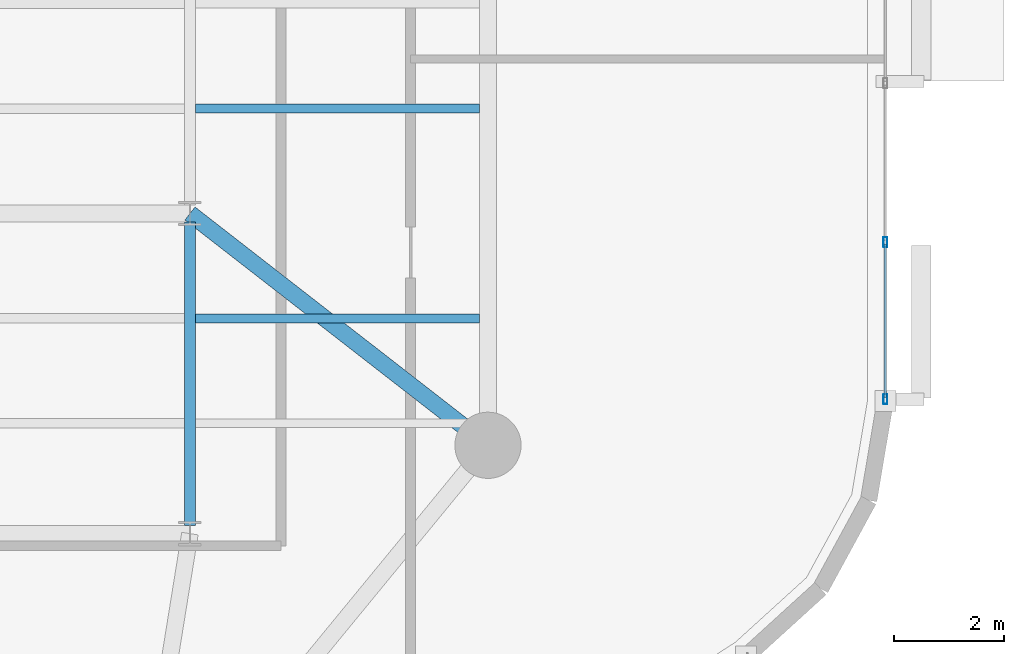
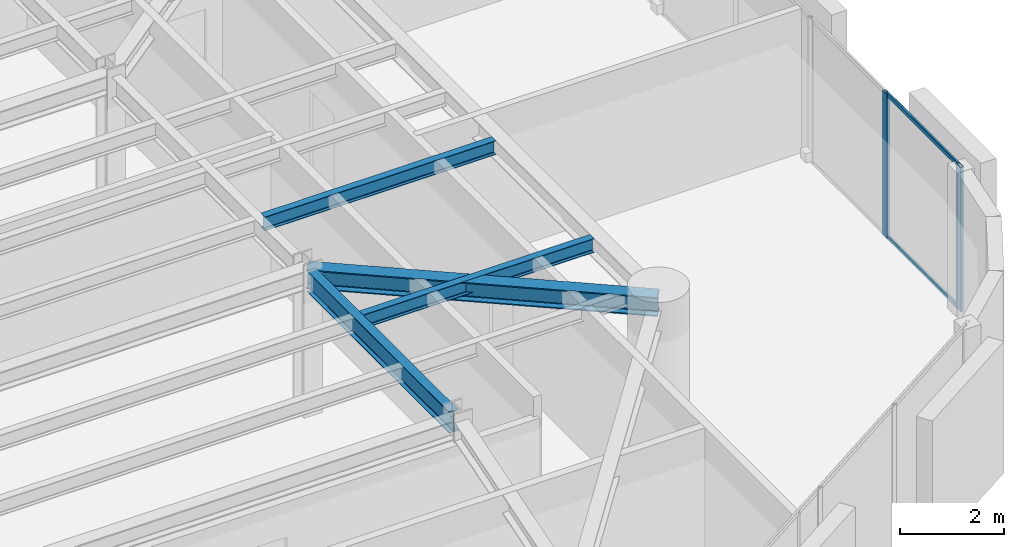
# One storey, part 3 of 15: 4 beams, 4 members, 1 element without a shape of its own.
"""IFC4 building model written with IfcOpenShell, lengths in metres."""

from ifc_helpers import new_model, si_unit, direction, frame, origin, origin_2d, place, context, subcontext, project, spatial, hollow_rectangle, i_section, extrude, material, layer, layer_set, material_profile, profile_set, type_object, element, aggregate, save


model = new_model("IFC4")

# Units and contexts
model_context = context("Model", 3, precision=1e-05, world=origin(), true_north=direction((0.0, 1.0)))
body_context = subcontext(model_context, "Body", "Model", "MODEL_VIEW")
ifc_project = project(units=[si_unit("LENGTHUNIT", "METRE"), si_unit("AREAUNIT", "SQUARE_METRE"), si_unit("VOLUMEUNIT", "CUBIC_METRE"), si_unit("PLANEANGLEUNIT", "RADIAN"), si_unit("MASSUNIT", "GRAM", prefix="KILO")], contexts=[model_context])

# Site, building, storey
site_placement = place(None, origin())
site = spatial("IfcSite", under=ifc_project, at=site_placement, CompositionType="ELEMENT")
building_placement = place(site_placement, origin())
building = spatial("IfcBuilding", under=site, at=building_placement, Name="An Khanh Terracotta Commons", CompositionType="ELEMENT")
storey_placement = place(building_placement, frame((0.0, 0.0, 165.39990234375)))
storey = spatial("IfcBuildingStorey", under=building, at=storey_placement, Name="L43", CompositionType="ELEMENT", Elevation=165.39990234375)

# Beams
ifc_material_1 = material(Name="Steel S355J2", Category="steel")
ifc_material_profile_1 = material_profile(ifc_material_1, i_section(OverallWidth=0.300048828125, OverallDepth=0.449951171875, WebThickness=0.013916015625, FlangeThickness=0.02587890625, FilletRadius=0.027099609375, at=origin_2d()), Name="HEB450")
ifc_profile_set_1 = profile_set([ifc_material_profile_1], Name="Steel S355J2")
beam_type_1 = type_object("IfcBeamType", Name="BM-HEB450", PredefinedType="BEAM", material=ifc_profile_set_1)
beam_1_placement = place(storey_placement, frame((55.800048828125, 16.0, 3.175048828125), z_axis=(-0.789363746927, 0.61392578952, 0.0), x_axis=(-0.61392578952, -0.789363746927, 0.0)))
element("IfcBeam", 1, at=beam_1_placement, inside=storey, type_object=beam_type_1, Name="L43 Mega-Column Tie Girder 3", PredefinedType="BEAM", context=body_context, shape_type="SweptSolid", body=[
    extrude(i_section(OverallWidth=0.300048828125, OverallDepth=0.449951171875, WebThickness=0.013916015625, FlangeThickness=0.02587890625, FilletRadius=0.027099609375, at=origin_2d()), origin(), (0.0, 0.0, 1.0), 6.841064453125),
])
ifc_material_profile_2 = material_profile(ifc_material_1, i_section(OverallWidth=0.159912109375, OverallDepth=0.330078125, WebThickness=0.007568359375, FlangeThickness=0.011474609375, FilletRadius=0.01806640625, at=origin_2d()), Name="IPE330")
ifc_profile_set_2 = profile_set([ifc_material_profile_2], Name="Steel S355J2")
beam_type_2 = type_object("IfcBeamType", Name="BM-IPE330", PredefinedType="JOIST", material=ifc_profile_set_2)
for number, where, z_axis, x_axis, name in (
    (2, (50.5, 18.300048828125, 3.235107421875), (1.0, 0.0, 0.0), (0.0, 1.0, 0.0), "L43 Riverfront Composite Joist 2"),
    (3, (50.5, 22.10009765625, 3.235107421875), (1.0, 0.0, 0.0), (0.0, 1.0, 0.0), "L43 Riverfront Composite Joist 3"),
):
    element("IfcBeam", number, at=place(storey_placement, frame(where, z_axis=z_axis, x_axis=x_axis)), inside=storey, type_object=beam_type_2, Name=name, PredefinedType="JOIST", context=body_context, shape_type="SweptSolid", body=[
        extrude(i_section(OverallWidth=0.159912109375, OverallDepth=0.330078125, WebThickness=0.007568359375, FlangeThickness=0.011474609375, FilletRadius=0.01806640625, at=origin_2d()), origin(), (0.0, 0.0, 1.0), 5.14990234375),
    ])
ifc_material_profile_3 = material_profile(ifc_material_1, i_section(OverallWidth=0.199951171875, OverallDepth=0.5, WebThickness=0.01025390625, FlangeThickness=0.01611328125, FilletRadius=0.02099609375, at=origin_2d()), Name="IPE500")
ifc_profile_set_3 = profile_set([ifc_material_profile_3], Name="Steel S355J2")
beam_type_3 = type_object("IfcBeamType", Name="BM-IPE500", PredefinedType="BEAM", material=ifc_profile_set_3)
beam_2_placement = place(storey_placement, frame((50.39990234375, 14.550048828125, 3.150146484375), z_axis=(0.0, 1.0, 0.0), x_axis=(-1.0, 0.0, 0.0)))
element("IfcBeam", 4, at=beam_2_placement, inside=storey, type_object=beam_type_3, Name="L43 East Spine Girder 1", PredefinedType="BEAM", context=body_context, shape_type="SweptSolid", body=[
    extrude(i_section(OverallWidth=0.199951171875, OverallDepth=0.5, WebThickness=0.01025390625, FlangeThickness=0.01611328125, FilletRadius=0.02099609375, at=origin_2d()), origin(), (0.0, 0.0, 1.0), 5.5),
])

# Curtain wall, members
ifc_material_2 = material(Name="Anodised Aluminium 6063-T6", Category="aluminium")
ifc_layer = layer(ifc_material_2, 0.2099609375, Name="Anodised Aluminium 6063-T6")
ifc_layer_set = layer_set([ifc_layer], Name="Anodised Aluminium 6063-T6")
curtain_wall_type = type_object("IfcCurtainWallType", Name="CW-SYS-03", PredefinedType="USERDEFINED", material=ifc_layer_set)
curtain_wall_placement = place(storey_placement, origin())
curtain_wall = element("IfcCurtainWall", 5, at=curtain_wall_placement, inside=storey, type_object=curtain_wall_type, Name="L43 CW-03 Unitised Curtain Wall CW-L43-12", ObjectType="UNITISED CURTAIN WALL", PredefinedType="USERDEFINED")
ifc_material_profile_4 = material_profile(ifc_material_2, hollow_rectangle(XDim=0.070068359375, YDim=0.179931640625, WallThickness=0.00390625, InnerFilletRadius=0.00390625, OuterFilletRadius=0.008056640625, at=origin_2d()), Name="RHS180x70x4")
ifc_profile_set_4 = profile_set([ifc_material_profile_4], Name="Anodised Aluminium 6063-T6")
member_type_1 = type_object("IfcMemberType", Name="CWM-RHS180x70x4", PredefinedType="MULLION", material=ifc_profile_set_4)
member_1_placement = place(storey_placement, frame((63.0, 16.8349609375, 0.0), z_axis=(0.0, 0.0, 1.0), x_axis=(-1.0, 0.0, 0.0)))
member_1 = element("IfcMember", 6, at=member_1_placement, type_object=member_type_1, Name="CW-03 mullion 1", PredefinedType="MULLION", context=body_context, shape_type="SweptSolid", body=[
    extrude(hollow_rectangle(XDim=0.070068359375, YDim=0.179931640625, WallThickness=0.00390625, InnerFilletRadius=0.00390625, OuterFilletRadius=0.008056640625, at=origin_2d()), origin(), (0.0, 0.0, 1.0), 3.400146484375),
])
member_2_placement = place(storey_placement, frame((63.0, 19.679931640625, 0.0), z_axis=(0.0, 0.0, 1.0), x_axis=(-1.0, 0.0, 0.0)))
member_2 = element("IfcMember", 7, at=member_2_placement, type_object=member_type_1, Name="CW-03 mullion 2", PredefinedType="MULLION", context=body_context, shape_type="SweptSolid", body=[
    extrude(hollow_rectangle(XDim=0.070068359375, YDim=0.179931640625, WallThickness=0.00390625, InnerFilletRadius=0.00390625, OuterFilletRadius=0.008056640625, at=origin_2d()), origin(), (0.0, 0.0, 1.0), 3.400146484375),
])
ifc_material_profile_5 = material_profile(ifc_material_2, hollow_rectangle(XDim=0.050048828125, YDim=0.10009765625, WallThickness=0.003173828125, InnerFilletRadius=0.003173828125, OuterFilletRadius=0.00634765625, at=origin_2d()), Name="RHS100x50x3.2")
ifc_profile_set_5 = profile_set([ifc_material_profile_5], Name="Anodised Aluminium 6063-T6")
member_type_2 = type_object("IfcMemberType", Name="CWT-RHS100x50x3.2", PredefinedType="USERDEFINED", material=ifc_profile_set_5)
member_3_placement = place(storey_placement, frame((63.0, 16.8701171875, 0.025146484375), z_axis=(0.0, 1.0, 0.0), x_axis=(-1.0, 0.0, 0.0)))
member_3 = element("IfcMember", 8, at=member_3_placement, type_object=member_type_2, Name="CW-03 transom 1.1", ObjectType="TRANSOM", PredefinedType="USERDEFINED", context=body_context, shape_type="SweptSolid", body=[
    extrude(hollow_rectangle(XDim=0.050048828125, YDim=0.10009765625, WallThickness=0.003173828125, InnerFilletRadius=0.003173828125, OuterFilletRadius=0.00634765625, at=origin_2d()), origin(), (0.0, 0.0, 1.0), 2.77490234375),
])
member_4_placement = place(storey_placement, frame((63.0, 16.8701171875, 3.375), z_axis=(0.0, 1.0, 0.0), x_axis=(-1.0, 0.0, 0.0)))
member_4 = element("IfcMember", 9, at=member_4_placement, type_object=member_type_2, Name="CW-03 transom 1.2", ObjectType="TRANSOM", PredefinedType="USERDEFINED", context=body_context, shape_type="SweptSolid", body=[
    extrude(hollow_rectangle(XDim=0.050048828125, YDim=0.10009765625, WallThickness=0.003173828125, InnerFilletRadius=0.003173828125, OuterFilletRadius=0.00634765625, at=origin_2d()), origin(), (0.0, 0.0, 1.0), 2.77490234375),
])
aggregate(curtain_wall, [member_1, member_2, member_3, member_4])

save(model, "model.ifc")
